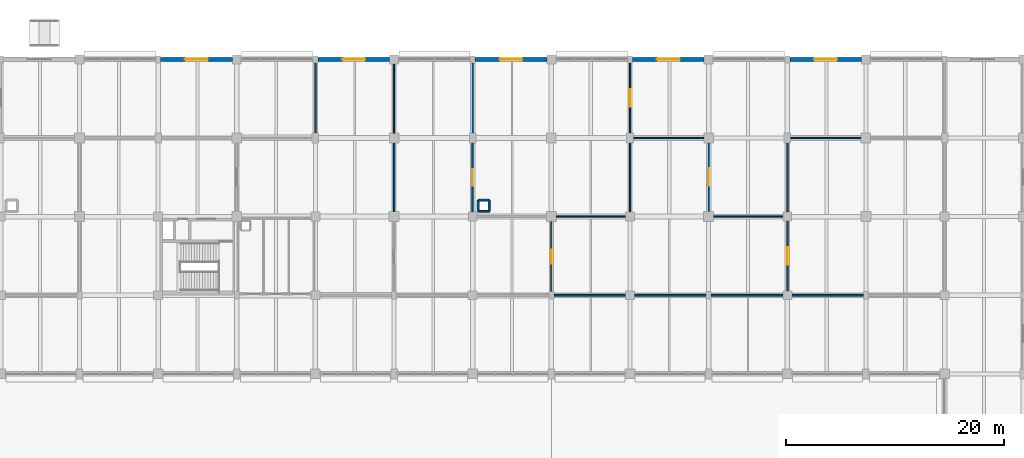
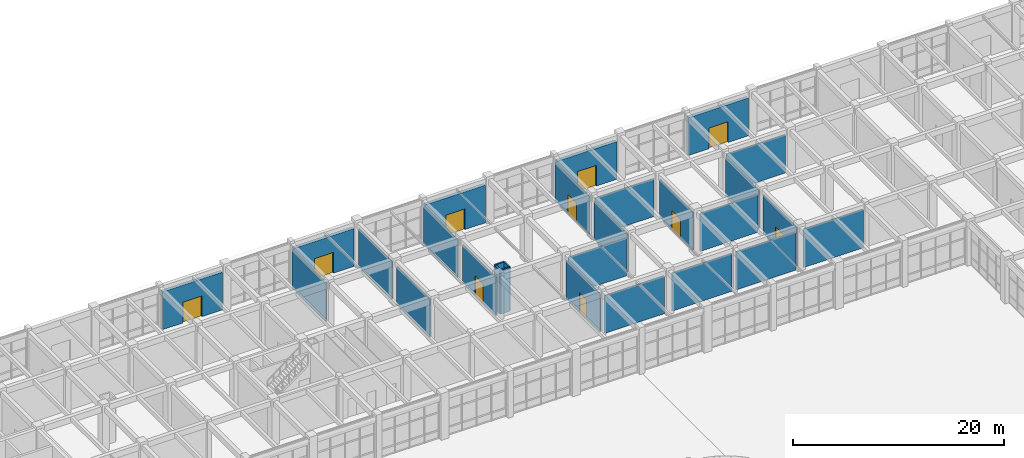
# One storey, part 144 of 160: 28 walls, 10 doors, 10 openings.
"""IFC4 building model written with IfcOpenShell, lengths in metres."""

import ifcopenshell
import ifcopenshell.guid

model = None  # the IFC model being written
_history = None  # IfcOwnerHistory: only IFC2X3 demands one
_inside = {}  # id of a spatial element -> (the spatial element, [elements in it])
_under = {}  # id of a project, library or spatial element -> (it, [spatial elements below it])
_declared = {}  # id of a project -> (the project, [libraries it declares])
_typed = {}  # id of a type object -> (the type object, [elements of that type])
_made_of = {}  # id of a material, layer set ... -> (it, [elements and type objects made of it])


def new_model(schema):
    """Start an empty IFC model of exactly this schema.

    Asked for "IFC4X3", IfcOpenShell would pick the latest addendum, in which some entities
    have other attributes; the version numbers below select the first issue.
    IFC2X3 requires an IfcOwnerHistory on every rooted entity: one is made here for all.
    """
    global model, _history
    if schema == "IFC4X3":
        model = ifcopenshell.file(schema_version=(4, 3, 0, 0))
    else:
        model = ifcopenshell.file(schema=schema)
    _inside.clear()
    _under.clear()
    _declared.clear()
    _typed.clear()
    _made_of.clear()
    _history = None
    if model.schema == "IFC2X3":
        org = make("IfcOrganization", Name="unknown")
        user = make(
            "IfcPersonAndOrganization",
            ThePerson=make("IfcPerson", FamilyName="unknown"),
            TheOrganization=org,
        )
        app = make(
            "IfcApplication",
            ApplicationDeveloper=org,
            Version="unknown",
            ApplicationFullName="unknown",
            ApplicationIdentifier="unknown",
        )
        _history = make(
            "IfcOwnerHistory",
            OwningUser=user,
            OwningApplication=app,
            ChangeAction="ADDED",
            CreationDate=0,
        )
    return model


def make(cls, **values):
    """One entity of the class cls with the attributes given. An attribute that is None is left unset."""
    return model.create_entity(
        cls, **{name: value for name, value in values.items() if value is not None}
    )


def rooted(cls, **values):
    """An entity with a GlobalId (a new one), such as an element, a storey or a relation."""
    return make(cls, GlobalId=ifcopenshell.guid.new(), OwnerHistory=_history, **values)


def si_unit(unit_type, name, prefix=None):
    """IfcSIUnit, for example si_unit("LENGTHUNIT", "METRE", prefix="MILLI")."""
    return make("IfcSIUnit", UnitType=unit_type, Prefix=prefix, Name=name)


def assignment(units):
    """IfcUnitAssignment: the units of a project."""
    return None if units is None else make("IfcUnitAssignment", Units=units)


def point(xyz):
    """IfcCartesianPoint."""
    return None if xyz is None else make("IfcCartesianPoint", Coordinates=xyz)


def direction(xyz):
    """IfcDirection."""
    return None if xyz is None else make("IfcDirection", DirectionRatios=xyz)


def frame(location, z_axis=None, x_axis=None):
    """IfcAxis2Placement3D, a coordinate frame: its origin and axes. An axis left out is left unset."""
    return make(
        "IfcAxis2Placement3D",
        Location=point(location),
        Axis=direction(z_axis),
        RefDirection=direction(x_axis),
    )


def frame_2d(location, x_axis=None):
    """IfcAxis2Placement2D, a coordinate frame in the plane: its origin and x axis."""
    return make(
        "IfcAxis2Placement2D", Location=point(location), RefDirection=direction(x_axis)
    )


def origin():
    """The frame at (0, 0, 0) with its axes left unset."""
    return frame((0.0, 0.0, 0.0))


def place(relative_to, where):
    """IfcLocalPlacement: puts the frame where relative to a parent placement (None: the world)."""
    return make(
        "IfcLocalPlacement", PlacementRelTo=relative_to, RelativePlacement=where
    )


def context(
    kind, dimensions, precision=None, world=None, true_north=None, identifier=None
):
    """IfcGeometricRepresentationContext, for example the 3D "Model" context."""
    return make(
        "IfcGeometricRepresentationContext",
        ContextIdentifier=identifier,
        ContextType=kind,
        CoordinateSpaceDimension=dimensions,
        Precision=precision,
        WorldCoordinateSystem=world,
        TrueNorth=true_north,
    )


def subcontext(parent, identifier, kind, view, scale=None):
    """IfcGeometricRepresentationSubContext, for example "Body" below "Model"."""
    return make(
        "IfcGeometricRepresentationSubContext",
        ContextIdentifier=identifier,
        ContextType=kind,
        ParentContext=parent,
        TargetScale=scale,
        TargetView=view,
    )


def project(units=None, contexts=None):
    """IfcProject with its units and contexts."""
    return rooted(
        "IfcProject",
        Name="project",
        RepresentationContexts=contexts,
        UnitsInContext=assignment(units),
    )


def spatial(cls, under=None, at=None, **own):
    """A site, building, storey or space (cls), placed at a placement, below another one or the project."""
    s = rooted(cls, ObjectPlacement=at, **own)
    if under is not None:
        _under.setdefault(under.id(), (under, []))[1].append(s)
    return s


def profile(cls, at=None, kind="AREA", **sizes):
    """A parametric profile (cls). Its sizes go by their IFC names, for example OverallWidth=200.0."""
    return make(cls, ProfileType=kind, Position=at, **sizes)


def rectangle(**sizes):
    """IfcRectangleProfileDef."""
    return profile("IfcRectangleProfileDef", **sizes)


def extrude(swept, where, along, depth):
    """IfcExtrudedAreaSolid: the profile swept, set in the frame where, extruded along a direction by depth."""
    return make(
        "IfcExtrudedAreaSolid",
        SweptArea=swept,
        Position=where,
        ExtrudedDirection=direction(along),
        Depth=depth,
    )


def shape(context_of_items, identifier, shape_type, items):
    """IfcShapeRepresentation: the items that make up one representation, for example the "Body"."""
    return make(
        "IfcShapeRepresentation",
        ContextOfItems=context_of_items,
        RepresentationIdentifier=identifier,
        RepresentationType=shape_type,
        Items=items,
    )


def material(Name=None, Category=None):
    """IfcMaterial."""
    return make("IfcMaterial", Name=Name, Category=Category)


def layer(
    of_material, thickness, ventilated=None, Name=None, Category=None, Priority=None
):
    """IfcMaterialLayer: one layer of a wall or slab, of a material (None: an air gap)."""
    return make(
        "IfcMaterialLayer",
        Material=of_material,
        LayerThickness=thickness,
        IsVentilated=ventilated,
        Name=Name,
        Category=Category,
        Priority=Priority,
    )


def layer_set(layers, Name=None):
    """IfcMaterialLayerSet."""
    return make("IfcMaterialLayerSet", MaterialLayers=layers, LayerSetName=Name)


def made_of(thing, what):
    """Note that an element or type object is made of a material, layer set ...; save() writes the relation."""
    if what is not None:
        _made_of.setdefault(what.id(), (what, []))[1].append(thing)
    return thing


def type_object(cls, material=None, **own):
    """A type object (cls), such as IfcWallType, which elements share."""
    return made_of(rooted(cls, **own), material)


def element(
    cls,
    number,
    at=None,
    inside=None,
    cuts=None,
    type_object=None,
    material=None,
    context=None,
    identifier="Body",
    shape_type=None,
    held_by="IfcProductDefinitionShape",
    body=None,
    shapes=None,
    **own,
):
    """One element of the class cls, such as IfcWall. Its Tag is "e" and its number.

    at: its placement. inside: the storey or other place that contains it. cuts: it is an
    opening in that element (IfcRelVoidsElement). A single representation is given by context,
    identifier, shape_type and body (its items); several are given by shapes. held_by: the class
    of the entity that holds the representations. save() writes the other relations.
    """
    e = rooted(cls, Tag="e%d" % number, ObjectPlacement=at, **own)
    if body is not None:
        shapes = [shape(context, identifier, shape_type, body)]
    if shapes is not None:
        e.Representation = make(held_by, Representations=shapes)
    if inside is not None:
        _inside.setdefault(inside.id(), (inside, []))[1].append(e)
    if cuts is not None:
        rooted(
            "IfcRelVoidsElement", RelatingBuildingElement=cuts, RelatedOpeningElement=e
        )
    if type_object is not None:
        _typed.setdefault(type_object.id(), (type_object, []))[1].append(e)
    return made_of(e, material)


def fill(opening, filler):
    """IfcRelFillsElement: the door or window that sits in an opening."""
    return rooted(
        "IfcRelFillsElement",
        RelatingOpeningElement=opening,
        RelatedBuildingElement=filler,
    )


def aggregate(whole, parts):
    """IfcRelAggregates: a whole, such as a stair, and the parts it consists of."""
    return rooted("IfcRelAggregates", RelatingObject=whole, RelatedObjects=parts)


def save(model, path):
    """Write the relations noted so far, then the file.

    IfcRelAggregates (storeys below a building ...), IfcRelContainedInSpatialStructure (elements
    in a storey), IfcRelDefinesByType, IfcRelAssociatesMaterial and IfcRelDeclares: one each for
    every whole, place, type object, material and project.
    """
    for whole, parts in _under.values():
        aggregate(whole, parts)
    for where, things in _inside.values():
        rooted(
            "IfcRelContainedInSpatialStructure",
            RelatedElements=things,
            RelatingStructure=where,
        )
    for kind, things in _typed.values():
        rooted("IfcRelDefinesByType", RelatedObjects=things, RelatingType=kind)
    for what, things in _made_of.values():
        rooted("IfcRelAssociatesMaterial", RelatedObjects=things, RelatingMaterial=what)
    for by, libraries in _declared.values():
        rooted("IfcRelDeclares", RelatingContext=by, RelatedDefinitions=libraries)
    model.write(path)


model = new_model("IFC4")

# Units and contexts
model_context = context("Model", 3, precision=1e-05, world=origin(), true_north=direction((0.0, 1.0)))
body_context = subcontext(model_context, "Body", "Model", "MODEL_VIEW")
ifc_project = project(units=[si_unit("LENGTHUNIT", "METRE"), si_unit("AREAUNIT", "SQUARE_METRE"), si_unit("VOLUMEUNIT", "CUBIC_METRE"), si_unit("PLANEANGLEUNIT", "RADIAN"), si_unit("MASSUNIT", "GRAM", prefix="KILO")], contexts=[model_context])

# Site, building, storey
site_placement = place(None, origin())
site = spatial("IfcSite", under=ifc_project, at=site_placement, CompositionType="ELEMENT")
building_placement = place(site_placement, origin())
building = spatial("IfcBuilding", under=site, at=building_placement, Name="Thalmaran Polytechnic", CompositionType="ELEMENT")
storey_placement = place(building_placement, origin())
storey = spatial("IfcBuildingStorey", under=building, at=storey_placement, Name="L00", CompositionType="ELEMENT", Elevation=0.0)

# Wall, opening, door
ifc_material_1 = material(Name="Precast concrete C40/50", Category="concrete")
ifc_layer_1 = layer(ifc_material_1, 0.360107421875, Name="Precast concrete C40/50")
ifc_layer_set_1 = layer_set([ifc_layer_1], Name="Precast concrete C40/50")
wall_type_1 = type_object("IfcWallType", Name="WL-EW01", PredefinedType="STANDARD", material=ifc_layer_set_1)
wall_1_placement = place(storey_placement, frame((57.824951171875, 122.39990234375, 0.0), z_axis=(0.0, 0.0, 1.0), x_axis=(1.0, 0.0, 0.0)))
wall_1 = element("IfcWall", 1, at=wall_1_placement, inside=storey, type_object=wall_type_1, Name="Ground Entrance Portal Wall L00-036", PredefinedType="STANDARD", context=body_context, shape_type="SweptSolid", body=[
    extrude(rectangle(XDim=6.56494140625, YDim=0.360107421875, at=frame_2d((3.282470703125, 0.0))), origin(), (0.0, 0.0, 1.0), 4.3701171875),
])
opening_1_placement = place(wall_1_placement, frame((2.232421875, 0.0, 0.0)))
opening_1 = element("IfcOpeningElement", 2, at=opening_1_placement, cuts=wall_1, Name="Opening ED-12", PredefinedType="OPENING", context=body_context, shape_type="SweptSolid", body=[
    extrude(rectangle(XDim=2.10009765625, YDim=2.39990234375, at=frame_2d((1.050048828125, 1.199951171875))), frame((0.0, 0.18994140625, 0.0), z_axis=(0.0, -1.0, 0.0), x_axis=(1.0, 0.0, 0.0)), (0.0, 0.0, 1.0), 0.380126953125),
])
ifc_material_2 = material(Name="Anodised aluminium and safety glass", Category="aluminium")
door_type_1 = type_object("IfcDoorType", Name="DR-ED01", OperationType="NOTDEFINED", PredefinedType="DOOR", material=ifc_material_2)
door_1_placement = place(opening_1_placement, origin())
door_1 = element("IfcDoor", 3, at=door_1_placement, inside=storey, type_object=door_type_1, Name="Pedestrian Final Exit Door ED-12", OperationType="DOUBLE_DOOR_SINGLE_SWING", OverallHeight=2.39990234375, OverallWidth=2.10009765625, PredefinedType="DOOR", context=body_context, shape_type="SweptSolid", body=[
    extrude(rectangle(XDim=2.10009765625, YDim=2.39990234375, at=frame_2d((1.050048828125, 1.199951171875))), frame((0.0, 0.02490234375, 0.0), z_axis=(0.0, -1.0, 0.0), x_axis=(1.0, 0.0, 0.0)), (0.0, 0.0, 1.0), 0.050048828125),
])
fill(opening_1, door_1)

wall_2_placement = place(storey_placement, frame((72.22509765625, 122.39990234375, 0.0), z_axis=(0.0, 0.0, 1.0), x_axis=(1.0, 0.0, 0.0)))
wall_2 = element("IfcWall", 4, at=wall_2_placement, inside=storey, type_object=wall_type_1, Name="Ground Entrance Portal Wall L00-038", PredefinedType="STANDARD", context=body_context, shape_type="SweptSolid", body=[
    extrude(rectangle(XDim=6.56494140625, YDim=0.360107421875, at=frame_2d((3.282470703125, 0.0))), origin(), (0.0, 0.0, 1.0), 4.3701171875),
])
opening_2_placement = place(wall_2_placement, frame((2.232421875, 0.0, 0.0)))
opening_2 = element("IfcOpeningElement", 5, at=opening_2_placement, cuts=wall_2, Name="Opening ED-13", PredefinedType="OPENING", context=body_context, shape_type="SweptSolid", body=[
    extrude(rectangle(XDim=2.10009765625, YDim=2.39990234375, at=frame_2d((1.050048828125, 1.199951171875))), frame((0.0, 0.18994140625, 0.0), z_axis=(0.0, -1.0, 0.0), x_axis=(1.0, 0.0, 0.0)), (0.0, 0.0, 1.0), 0.380126953125),
])
door_2_placement = place(opening_2_placement, origin())
door_2 = element("IfcDoor", 6, at=door_2_placement, inside=storey, type_object=door_type_1, Name="Pedestrian Final Exit Door ED-13", OperationType="DOUBLE_DOOR_SINGLE_SWING", OverallHeight=2.39990234375, OverallWidth=2.10009765625, PredefinedType="DOOR", context=body_context, shape_type="SweptSolid", body=[
    extrude(rectangle(XDim=2.10009765625, YDim=2.39990234375, at=frame_2d((1.050048828125, 1.199951171875))), frame((0.0, 0.02490234375, 0.0), z_axis=(0.0, -1.0, 0.0), x_axis=(1.0, 0.0, 0.0)), (0.0, 0.0, 1.0), 0.050048828125),
])
fill(opening_2, door_2)

wall_3_placement = place(storey_placement, frame((86.625, 122.39990234375, 0.0), z_axis=(0.0, 0.0, 1.0), x_axis=(1.0, 0.0, 0.0)))
wall_3 = element("IfcWall", 7, at=wall_3_placement, inside=storey, type_object=wall_type_1, Name="Ground Entrance Portal Wall L00-040", PredefinedType="STANDARD", context=body_context, shape_type="SweptSolid", body=[
    extrude(rectangle(XDim=6.56494140625, YDim=0.360107421875, at=frame_2d((3.282470703125, 0.0))), origin(), (0.0, 0.0, 1.0), 4.3701171875),
])
opening_3_placement = place(wall_3_placement, frame((2.232421875, 0.0, 0.0)))
opening_3 = element("IfcOpeningElement", 8, at=opening_3_placement, cuts=wall_3, Name="Opening ED-14", PredefinedType="OPENING", context=body_context, shape_type="SweptSolid", body=[
    extrude(rectangle(XDim=2.10009765625, YDim=2.39990234375, at=frame_2d((1.050048828125, 1.199951171875))), frame((0.0, 0.18994140625, 0.0), z_axis=(0.0, -1.0, 0.0), x_axis=(1.0, 0.0, 0.0)), (0.0, 0.0, 1.0), 0.380126953125),
])
door_3_placement = place(opening_3_placement, origin())
door_3 = element("IfcDoor", 9, at=door_3_placement, inside=storey, type_object=door_type_1, Name="Pedestrian Final Exit Door ED-14", OperationType="DOUBLE_DOOR_SINGLE_SWING", OverallHeight=2.39990234375, OverallWidth=2.10009765625, PredefinedType="DOOR", context=body_context, shape_type="SweptSolid", body=[
    extrude(rectangle(XDim=2.10009765625, YDim=2.39990234375, at=frame_2d((1.050048828125, 1.199951171875))), frame((0.0, 0.02490234375, 0.0), z_axis=(0.0, -1.0, 0.0), x_axis=(1.0, 0.0, 0.0)), (0.0, 0.0, 1.0), 0.050048828125),
])
fill(opening_3, door_3)

wall_4_placement = place(storey_placement, frame((101.02490234375, 122.39990234375, 0.0), z_axis=(0.0, 0.0, 1.0), x_axis=(1.0, 0.0, 0.0)))
wall_4 = element("IfcWall", 10, at=wall_4_placement, inside=storey, type_object=wall_type_1, Name="Ground Entrance Portal Wall L00-042", PredefinedType="STANDARD", context=body_context, shape_type="SweptSolid", body=[
    extrude(rectangle(XDim=6.565185546875, YDim=0.360107421875, at=frame_2d((3.28271484375, 0.0))), origin(), (0.0, 0.0, 1.0), 4.3701171875),
])
opening_4_placement = place(wall_4_placement, frame((2.232421875, 0.0, 0.0)))
opening_4 = element("IfcOpeningElement", 11, at=opening_4_placement, cuts=wall_4, Name="Opening ED-15", PredefinedType="OPENING", context=body_context, shape_type="SweptSolid", body=[
    extrude(rectangle(XDim=2.10009765625, YDim=2.39990234375, at=frame_2d((1.050048828125, 1.199951171875))), frame((0.0, 0.18994140625, 0.0), z_axis=(0.0, -1.0, 0.0), x_axis=(1.0, 0.0, 0.0)), (0.0, 0.0, 1.0), 0.380126953125),
])
door_4_placement = place(opening_4_placement, origin())
door_4 = element("IfcDoor", 12, at=door_4_placement, inside=storey, type_object=door_type_1, Name="Pedestrian Final Exit Door ED-15", OperationType="DOUBLE_DOOR_SINGLE_SWING", OverallHeight=2.39990234375, OverallWidth=2.10009765625, PredefinedType="DOOR", context=body_context, shape_type="SweptSolid", body=[
    extrude(rectangle(XDim=2.10009765625, YDim=2.39990234375, at=frame_2d((1.050048828125, 1.199951171875))), frame((0.0, 0.02490234375, 0.0), z_axis=(0.0, -1.0, 0.0), x_axis=(1.0, 0.0, 0.0)), (0.0, 0.0, 1.0), 0.050048828125),
])
fill(opening_4, door_4)

wall_5_placement = place(storey_placement, frame((115.425048828125, 122.39990234375, 0.0), z_axis=(0.0, 0.0, 1.0), x_axis=(1.0, 0.0, 0.0)))
wall_5 = element("IfcWall", 13, at=wall_5_placement, inside=storey, type_object=wall_type_1, Name="Ground Entrance Portal Wall L00-044", PredefinedType="STANDARD", context=body_context, shape_type="SweptSolid", body=[
    extrude(rectangle(XDim=6.56494140625, YDim=0.360107421875, at=frame_2d((3.282470703125, 0.0))), origin(), (0.0, 0.0, 1.0), 4.3701171875),
])
opening_5_placement = place(wall_5_placement, frame((2.232421875, 0.0, 0.0)))
opening_5 = element("IfcOpeningElement", 14, at=opening_5_placement, cuts=wall_5, Name="Opening ED-16", PredefinedType="OPENING", context=body_context, shape_type="SweptSolid", body=[
    extrude(rectangle(XDim=2.10009765625, YDim=2.39990234375, at=frame_2d((1.050048828125, 1.199951171875))), frame((0.0, 0.18994140625, 0.0), z_axis=(0.0, -1.0, 0.0), x_axis=(1.0, 0.0, 0.0)), (0.0, 0.0, 1.0), 0.380126953125),
])
door_5_placement = place(opening_5_placement, origin())
door_5 = element("IfcDoor", 15, at=door_5_placement, inside=storey, type_object=door_type_1, Name="Pedestrian Final Exit Door ED-16", OperationType="DOUBLE_DOOR_SINGLE_SWING", OverallHeight=2.39990234375, OverallWidth=2.10009765625, PredefinedType="DOOR", context=body_context, shape_type="SweptSolid", body=[
    extrude(rectangle(XDim=2.10009765625, YDim=2.39990234375, at=frame_2d((1.050048828125, 1.199951171875))), frame((0.0, 0.02490234375, 0.0), z_axis=(0.0, -1.0, 0.0), x_axis=(1.0, 0.0, 0.0)), (0.0, 0.0, 1.0), 0.050048828125),
])
fill(opening_5, door_5)

# Walls
ifc_material_3 = material(Name="Autoclaved aerated masonry", Category="masonry")
ifc_layer_2 = layer(ifc_material_3, 0.179931640625, Name="Autoclaved aerated masonry")
ifc_layer_set_2 = layer_set([ifc_layer_2], Name="Autoclaved aerated masonry")
wall_type_2 = type_object("IfcWallType", Name="WL-IW04", PredefinedType="PARTITIONING", material=ifc_layer_set_2)
for number, where, z_axis, x_axis, name in (
    (16, (86.889892578125, 108.489990234375, 0.0), (0.0, 0.0, 1.0), (1.0, 0.0, 0.0), "Fume Exhaust Riser Shaft Wall L00 (12,15)-S"),
    (17, (87.909912109375, 108.489990234375, 0.0), (0.0, 0.0, 1.0), (0.0, 1.0, 0.0), "Fume Exhaust Riser Shaft Wall L00 (12,15)-E"),
    (18, (87.909912109375, 109.510009765625, 0.0), (0.0, 0.0, 1.0), (-1.0, 0.0, 0.0), "Fume Exhaust Riser Shaft Wall L00 (12,15)-N"),
    (19, (86.889892578125, 109.510009765625, 0.0), (0.0, 0.0, 1.0), (0.0, -1.0, 0.0), "Fume Exhaust Riser Shaft Wall L00 (12,15)-W"),
):
    element("IfcWall", number, at=place(storey_placement, frame(where, z_axis=z_axis, x_axis=x_axis)), inside=storey, type_object=wall_type_2, Name=name, PredefinedType="PARTITIONING", context=body_context, shape_type="SweptSolid", body=[
        extrude(rectangle(XDim=1.02001953125, YDim=0.179931640625, at=frame_2d((0.510009765625, 0.0))), origin(), (0.0, 0.0, 1.0), 5.090087890625),
    ])
ifc_material_4 = material(Name="Gypsum acoustic partition")
ifc_layer_3 = layer(ifc_material_4, 0.14501953125, Name="Gypsum acoustic partition")
ifc_layer_set_3 = layer_set([ifc_layer_3], Name="Gypsum acoustic partition")
wall_type_3 = type_object("IfcWallType", Name="WL-IW06", PredefinedType="PARTITIONING", material=ifc_layer_set_3)
wall_6_placement = place(storey_placement, frame((93.830078125, 100.800048828125, 0.0), z_axis=(0.0, 0.0, 1.0), x_axis=(1.0, 0.0, 0.0)))
element("IfcWall", 20, at=wall_6_placement, inside=storey, type_object=wall_type_3, Name="Interior Partition IW06 L00-106", PredefinedType="PARTITIONING", context=body_context, shape_type="SweptSolid", body=[
    extrude(rectangle(XDim=6.554931640625, YDim=0.14501953125, at=frame_2d((3.27734375, 0.0))), origin(), (0.0, 0.0, 1.0), 4.364990234375),
])
wall_7_placement = place(storey_placement, frame((101.215087890625, 100.800048828125, 0.0), z_axis=(0.0, 0.0, 1.0), x_axis=(1.0, 0.0, 0.0)))
element("IfcWall", 21, at=wall_7_placement, inside=storey, type_object=wall_type_3, Name="Interior Partition IW06 L00-116", PredefinedType="PARTITIONING", context=body_context, shape_type="SweptSolid", body=[
    extrude(rectangle(XDim=6.554931640625, YDim=0.14501953125, at=frame_2d((3.27734375, 0.0))), origin(), (0.0, 0.0, 1.0), 4.3701171875),
])
wall_8_placement = place(storey_placement, frame((108.22998046875, 100.800048828125, 0.0), z_axis=(0.0, 0.0, 1.0), x_axis=(1.0, 0.0, 0.0)))
element("IfcWall", 22, at=wall_8_placement, inside=storey, type_object=wall_type_3, Name="Interior Partition IW06 L00-119", PredefinedType="PARTITIONING", context=body_context, shape_type="SweptSolid", body=[
    extrude(rectangle(XDim=6.554931640625, YDim=0.14501953125, at=frame_2d((3.27734375, 0.0))), origin(), (0.0, 0.0, 1.0), 4.389892578125),
])
wall_9_placement = place(storey_placement, frame((115.614990234375, 100.800048828125, 0.0), z_axis=(0.0, 0.0, 1.0), x_axis=(1.0, 0.0, 0.0)))
element("IfcWall", 23, at=wall_9_placement, inside=storey, type_object=wall_type_3, Name="Interior Partition IW06 L00-123", PredefinedType="PARTITIONING", context=body_context, shape_type="SweptSolid", body=[
    extrude(rectangle(XDim=6.554931640625, YDim=0.14501953125, at=frame_2d((3.27734375, 0.0))), origin(), (0.0, 0.0, 1.0), 4.429931640625),
])
ifc_layer_4 = layer(ifc_material_4, 0.1298828125, Name="Gypsum acoustic partition")
ifc_layer_set_4 = layer_set([ifc_layer_4], Name="Gypsum acoustic partition")
wall_type_4 = type_object("IfcWallType", Name="WL-IW07", PredefinedType="PARTITIONING", material=ifc_layer_set_4)
wall_10_placement = place(storey_placement, frame((72.0, 115.655029296875, 0.0), z_axis=(0.0, 0.0, 1.0), x_axis=(0.0, 1.0, 0.0)))
element("IfcWall", 24, at=wall_10_placement, inside=storey, type_object=wall_type_4, Name="Interior Partition IW07 L00-080", PredefinedType="PARTITIONING", context=body_context, shape_type="SweptSolid", body=[
    extrude(rectangle(XDim=6.4150390625, YDim=0.1298828125, at=frame_2d((3.20751953125, 0.0))), origin(), (0.0, 0.0, 1.0), 4.405029296875),
])
wall_11_placement = place(storey_placement, frame((79.199951171875, 108.455078125, 0.0), z_axis=(0.0, 0.0, 1.0), x_axis=(0.0, 1.0, 0.0)))
element("IfcWall", 25, at=wall_11_placement, inside=storey, type_object=wall_type_4, Name="Interior Partition IW07 L00-088", PredefinedType="PARTITIONING", context=body_context, shape_type="SweptSolid", body=[
    extrude(rectangle(XDim=6.2998046875, YDim=0.1298828125, at=frame_2d((3.14990234375, 0.0))), origin(), (0.0, 0.0, 1.0), 4.405029296875),
])

# Wall, opening, door
wall_12_placement = place(storey_placement, frame((86.39990234375, 108.405029296875, 0.0), z_axis=(0.0, 0.0, 1.0), x_axis=(0.0, 1.0, 0.0)))
wall_12 = element("IfcWall", 26, at=wall_12_placement, inside=storey, type_object=wall_type_4, Name="Interior Partition IW07 L00-094", PredefinedType="PARTITIONING", context=body_context, shape_type="SweptSolid", body=[
    extrude(rectangle(XDim=6.340087890625, YDim=0.1298828125, at=frame_2d((3.169921875, 0.0))), origin(), (0.0, 0.0, 1.0), 4.405029296875),
])
opening_6_placement = place(wall_12_placement, frame((2.429931640625, 0.0, 0.0)))
opening_6 = element("IfcOpeningElement", 27, at=opening_6_placement, cuts=wall_12, Name="Opening D-L00-033-2-09-1", PredefinedType="OPENING", context=body_context, shape_type="SweptSolid", body=[
    extrude(rectangle(XDim=1.47998046875, YDim=2.280029296875, at=frame_2d((0.739990234375, 1.14013671875))), frame((0.0, 0.074951171875, 0.0), z_axis=(0.0, -1.0, 0.0), x_axis=(1.0, 0.0, 0.0)), (0.0, 0.0, 1.0), 0.14990234375),
])
ifc_material_5 = material(Name="Powder-coated fire-rated steel", Category="steel")
door_type_2 = type_object("IfcDoorType", Name="DR-ZD09", OperationType="NOTDEFINED", PredefinedType="DOOR", material=ifc_material_5)
door_6_placement = place(opening_6_placement, origin())
door_6 = element("IfcDoor", 28, at=door_6_placement, inside=storey, type_object=door_type_2, Name="Seminar Room L00-09 Door 1", OperationType="SINGLE_SWING_RIGHT", OverallHeight=2.280029296875, OverallWidth=1.47998046875, PredefinedType="DOOR", context=body_context, shape_type="SweptSolid", body=[
    extrude(rectangle(XDim=1.47998046875, YDim=2.280029296875, at=frame_2d((0.739990234375, 1.14013671875))), frame((0.0, 0.02490234375, 0.0), z_axis=(0.0, -1.0, 0.0), x_axis=(1.0, 0.0, 0.0)), (0.0, 0.0, 1.0), 0.050048828125),
])
fill(opening_6, door_6)

# Walls
wall_13_placement = place(storey_placement, frame((100.800048828125, 108.405029296875, 0.0), z_axis=(0.0, 0.0, 1.0), x_axis=(0.0, 1.0, 0.0)))
element("IfcWall", 29, at=wall_13_placement, inside=storey, type_object=wall_type_4, Name="Interior Partition IW07 L00-108", PredefinedType="PARTITIONING", context=body_context, shape_type="SweptSolid", body=[
    extrude(rectangle(XDim=6.340087890625, YDim=0.1298828125, at=frame_2d((3.169921875, 0.0))), origin(), (0.0, 0.0, 1.0), 4.405029296875),
])
wall_14_placement = place(storey_placement, frame((101.10498046875, 115.199951171875, 0.0), z_axis=(0.0, 0.0, 1.0), x_axis=(1.0, 0.0, 0.0)))
element("IfcWall", 30, at=wall_14_placement, inside=storey, type_object=wall_type_4, Name="Interior Partition IW07 L00-118", PredefinedType="PARTITIONING", context=body_context, shape_type="SweptSolid", body=[
    extrude(rectangle(XDim=6.449951171875, YDim=0.1298828125, at=frame_2d((3.22509765625, 0.0))), origin(), (0.0, 0.0, 1.0), 4.3701171875),
])

# Wall, opening, door
wall_15_placement = place(storey_placement, frame((115.199951171875, 101.215087890625, 0.0), z_axis=(0.0, 0.0, 1.0), x_axis=(0.0, 1.0, 0.0)))
wall_15 = element("IfcWall", 31, at=wall_15_placement, inside=storey, type_object=wall_type_4, Name="Interior Partition IW07 L00-120", PredefinedType="PARTITIONING", context=body_context, shape_type="SweptSolid", body=[
    extrude(rectangle(XDim=6.3798828125, YDim=0.1298828125, at=frame_2d((3.18994140625, 0.0))), origin(), (0.0, 0.0, 1.0), 4.455078125),
])
opening_7_placement = place(wall_15_placement, frame((2.389892578125, 0.0, 0.0)))
opening_7 = element("IfcOpeningElement", 32, at=opening_7_placement, cuts=wall_15, Name="Opening D-L00-037-2-12-1", PredefinedType="OPENING", context=body_context, shape_type="SweptSolid", body=[
    extrude(rectangle(XDim=1.60009765625, YDim=2.199951171875, at=frame_2d((0.800048828125, 1.10009765625))), frame((0.0, 0.074951171875, 0.0), z_axis=(0.0, -1.0, 0.0), x_axis=(1.0, 0.0, 0.0)), (0.0, 0.0, 1.0), 0.14990234375),
])
door_type_3 = type_object("IfcDoorType", Name="DR-FD05", OperationType="NOTDEFINED", PredefinedType="DOOR", material=ifc_material_5)
door_7_placement = place(opening_7_placement, origin())
door_7 = element("IfcDoor", 33, at=door_7_placement, inside=storey, type_object=door_type_3, Name="Polytechnic Library Reading Hall L00-12 Door 1", OperationType="DOUBLE_DOOR_SINGLE_SWING", OverallHeight=2.199951171875, OverallWidth=1.60009765625, PredefinedType="DOOR", context=body_context, shape_type="SweptSolid", body=[
    extrude(rectangle(XDim=1.60009765625, YDim=2.199951171875, at=frame_2d((0.800048828125, 1.10009765625))), frame((0.0, 0.02490234375, 0.0), z_axis=(0.0, -1.0, 0.0), x_axis=(1.0, 0.0, 0.0)), (0.0, 0.0, 1.0), 0.050048828125),
])
fill(opening_7, door_7)

# Walls
wall_16_placement = place(storey_placement, frame((115.199951171875, 108.405029296875, 0.0), z_axis=(0.0, 0.0, 1.0), x_axis=(0.0, 1.0, 0.0)))
element("IfcWall", 34, at=wall_16_placement, inside=storey, type_object=wall_type_4, Name="Interior Partition IW07 L00-122", PredefinedType="PARTITIONING", context=body_context, shape_type="SweptSolid", body=[
    extrude(rectangle(XDim=6.340087890625, YDim=0.1298828125, at=frame_2d((3.169921875, 0.0))), origin(), (0.0, 0.0, 1.0), 4.405029296875),
])
wall_17_placement = place(storey_placement, frame((115.5048828125, 115.199951171875, 0.0), z_axis=(0.0, 0.0, 1.0), x_axis=(1.0, 0.0, 0.0)))
element("IfcWall", 35, at=wall_17_placement, inside=storey, type_object=wall_type_4, Name="Interior Partition IW07 L00-124", PredefinedType="PARTITIONING", context=body_context, shape_type="SweptSolid", body=[
    extrude(rectangle(XDim=6.4501953125, YDim=0.1298828125, at=frame_2d((3.22509765625, 0.0))), origin(), (0.0, 0.0, 1.0), 4.429931640625),
])
ifc_layer_5 = layer(ifc_material_4, 0.114990234375, Name="Gypsum acoustic partition")
ifc_layer_set_5 = layer_set([ifc_layer_5], Name="Gypsum acoustic partition")
wall_type_5 = type_object("IfcWallType", Name="WL-IW08", PredefinedType="PARTITIONING", material=ifc_layer_set_5)
wall_18_placement = place(storey_placement, frame((79.199951171875, 115.64501953125, 0.0), z_axis=(0.0, 0.0, 1.0), x_axis=(0.0, 1.0, 0.0)))
element("IfcWall", 36, at=wall_18_placement, inside=storey, type_object=wall_type_5, Name="Interior Partition IW08 L00-089", PredefinedType="PARTITIONING", context=body_context, shape_type="SweptSolid", body=[
    extrude(rectangle(XDim=6.340087890625, YDim=0.114990234375, at=frame_2d((3.169921875, 0.0))), origin(), (0.0, 0.0, 1.0), 4.405029296875),
])
wall_19_placement = place(storey_placement, frame((86.39990234375, 115.655029296875, 0.0), z_axis=(0.0, 0.0, 1.0), x_axis=(0.0, 1.0, 0.0)))
element("IfcWall", 37, at=wall_19_placement, inside=storey, type_object=wall_type_5, Name="Interior Partition IW08 L00-095", PredefinedType="PARTITIONING", context=body_context, shape_type="SweptSolid", body=[
    extrude(rectangle(XDim=6.4150390625, YDim=0.114990234375, at=frame_2d((3.20751953125, 0.0))), origin(), (0.0, 0.0, 1.0), 4.405029296875),
])

# Wall, opening, door
wall_20_placement = place(storey_placement, frame((93.60009765625, 101.1298828125, 0.0), z_axis=(0.0, 0.0, 1.0), x_axis=(0.0, 1.0, 0.0)))
wall_20 = element("IfcWall", 38, at=wall_20_placement, inside=storey, type_object=wall_type_5, Name="Interior Partition IW08 L00-099", PredefinedType="PARTITIONING", context=body_context, shape_type="SweptSolid", body=[
    extrude(rectangle(XDim=6.4150390625, YDim=0.114990234375, at=frame_2d((3.20751953125, 0.0))), origin(), (0.0, 0.0, 1.0), 4.455078125),
])
opening_8_placement = place(wall_20_placement, frame((2.5673828125, 0.0, 0.0)))
opening_8 = element("IfcOpeningElement", 39, at=opening_8_placement, cuts=wall_20, Name="Opening D-L00-034-2-10-1", PredefinedType="OPENING", context=body_context, shape_type="SweptSolid", body=[
    extrude(rectangle(XDim=1.280029296875, YDim=2.239990234375, at=frame_2d((0.64013671875, 1.1201171875))), frame((0.0, 0.0673828125, 0.0), z_axis=(0.0, -1.0, 0.0), x_axis=(1.0, 0.0, 0.0)), (0.0, 0.0, 1.0), 0.135009765625),
])
door_type_4 = type_object("IfcDoorType", Name="DR-ZD10", OperationType="NOTDEFINED", PredefinedType="DOOR", material=ifc_material_5)
door_8_placement = place(opening_8_placement, origin())
door_8 = element("IfcDoor", 40, at=door_8_placement, inside=storey, type_object=door_type_4, Name="Urban Design Studio L00-10 Door 1", OperationType="SINGLE_SWING_LEFT", OverallHeight=2.239990234375, OverallWidth=1.280029296875, PredefinedType="DOOR", context=body_context, shape_type="SweptSolid", body=[
    extrude(rectangle(XDim=1.280029296875, YDim=2.239990234375, at=frame_2d((0.64013671875, 1.1201171875))), frame((0.0, 0.02490234375, 0.0), z_axis=(0.0, -1.0, 0.0), x_axis=(1.0, 0.0, 0.0)), (0.0, 0.0, 1.0), 0.050048828125),
])
fill(opening_8, door_8)

# Wall
wall_21_placement = place(storey_placement, frame((94.054931640625, 108.0, 0.0), z_axis=(0.0, 0.0, 1.0), x_axis=(1.0, 0.0, 0.0)))
element("IfcWall", 41, at=wall_21_placement, inside=storey, type_object=wall_type_5, Name="Interior Partition IW08 L00-107", PredefinedType="PARTITIONING", context=body_context, shape_type="SweptSolid", body=[
    extrude(rectangle(XDim=6.340087890625, YDim=0.114990234375, at=frame_2d((3.169921875, 0.0))), origin(), (0.0, 0.0, 1.0), 4.364990234375),
])

# Wall, opening, door
wall_22_placement = place(storey_placement, frame((100.800048828125, 115.655029296875, 0.0), z_axis=(0.0, 0.0, 1.0), x_axis=(0.0, 1.0, 0.0)))
wall_22 = element("IfcWall", 42, at=wall_22_placement, inside=storey, type_object=wall_type_5, Name="Interior Partition IW08 L00-109", PredefinedType="PARTITIONING", context=body_context, shape_type="SweptSolid", body=[
    extrude(rectangle(XDim=6.4150390625, YDim=0.114990234375, at=frame_2d((3.20751953125, 0.0))), origin(), (0.0, 0.0, 1.0), 4.405029296875),
])
opening_9_placement = place(wall_22_placement, frame((2.407470703125, 0.0, 0.0)))
opening_9 = element("IfcOpeningElement", 43, at=opening_9_placement, cuts=wall_22, Name="Opening D-L00-035-2-11-1", PredefinedType="OPENING", context=body_context, shape_type="SweptSolid", body=[
    extrude(rectangle(XDim=1.60009765625, YDim=2.199951171875, at=frame_2d((0.800048828125, 1.10009765625))), frame((0.0, 0.0673828125, 0.0), z_axis=(0.0, -1.0, 0.0), x_axis=(1.0, 0.0, 0.0)), (0.0, 0.0, 1.0), 0.135009765625),
])
door_9_placement = place(opening_9_placement, origin())
door_9 = element("IfcDoor", 44, at=door_9_placement, inside=storey, type_object=door_type_3, Name="Technical Reference Library Reading Room L00-11 Door 1", OperationType="DOUBLE_DOOR_SINGLE_SWING", OverallHeight=2.199951171875, OverallWidth=1.60009765625, PredefinedType="DOOR", context=body_context, shape_type="SweptSolid", body=[
    extrude(rectangle(XDim=1.60009765625, YDim=2.199951171875, at=frame_2d((0.800048828125, 1.10009765625))), frame((0.0, 0.02490234375, 0.0), z_axis=(0.0, -1.0, 0.0), x_axis=(1.0, 0.0, 0.0)), (0.0, 0.0, 1.0), 0.050048828125),
])
fill(opening_9, door_9)

wall_23_placement = place(storey_placement, frame((108.0, 108.455078125, 0.0), z_axis=(0.0, 0.0, 1.0), x_axis=(0.0, 1.0, 0.0)))
wall_23 = element("IfcWall", 45, at=wall_23_placement, inside=storey, type_object=wall_type_5, Name="Interior Partition IW08 L00-117", PredefinedType="PARTITIONING", context=body_context, shape_type="SweptSolid", body=[
    extrude(rectangle(XDim=6.2998046875, YDim=0.114990234375, at=frame_2d((3.14990234375, 0.0))), origin(), (0.0, 0.0, 1.0), 4.405029296875),
])
opening_10_placement = place(wall_23_placement, frame((2.35009765625, 0.0, 0.0)))
opening_10 = element("IfcOpeningElement", 46, at=opening_10_placement, cuts=wall_23, Name="Opening D-L00-036-2-11-2", PredefinedType="OPENING", context=body_context, shape_type="SweptSolid", body=[
    extrude(rectangle(XDim=1.60009765625, YDim=2.199951171875, at=frame_2d((0.800048828125, 1.10009765625))), frame((0.0, 0.0673828125, 0.0), z_axis=(0.0, -1.0, 0.0), x_axis=(1.0, 0.0, 0.0)), (0.0, 0.0, 1.0), 0.135009765625),
])
door_10_placement = place(opening_10_placement, origin())
door_10 = element("IfcDoor", 47, at=door_10_placement, inside=storey, type_object=door_type_3, Name="Technical Reference Library Reading Room L00-11 Door 2", OperationType="DOUBLE_DOOR_SINGLE_SWING", OverallHeight=2.199951171875, OverallWidth=1.60009765625, PredefinedType="DOOR", context=body_context, shape_type="SweptSolid", body=[
    extrude(rectangle(XDim=1.60009765625, YDim=2.199951171875, at=frame_2d((0.800048828125, 1.10009765625))), frame((0.0, 0.02490234375, 0.0), z_axis=(0.0, -1.0, 0.0), x_axis=(1.0, 0.0, 0.0)), (0.0, 0.0, 1.0), 0.050048828125),
])
fill(opening_10, door_10)

# Wall
wall_24_placement = place(storey_placement, frame((108.455078125, 108.0, 0.0), z_axis=(0.0, 0.0, 1.0), x_axis=(1.0, 0.0, 0.0)))
element("IfcWall", 48, at=wall_24_placement, inside=storey, type_object=wall_type_5, Name="Interior Partition IW08 L00-121", PredefinedType="PARTITIONING", context=body_context, shape_type="SweptSolid", body=[
    extrude(rectangle(XDim=6.33984375, YDim=0.114990234375, at=frame_2d((3.169921875, 0.0))), origin(), (0.0, 0.0, 1.0), 4.389892578125),
])

save(model, "model.ifc")
